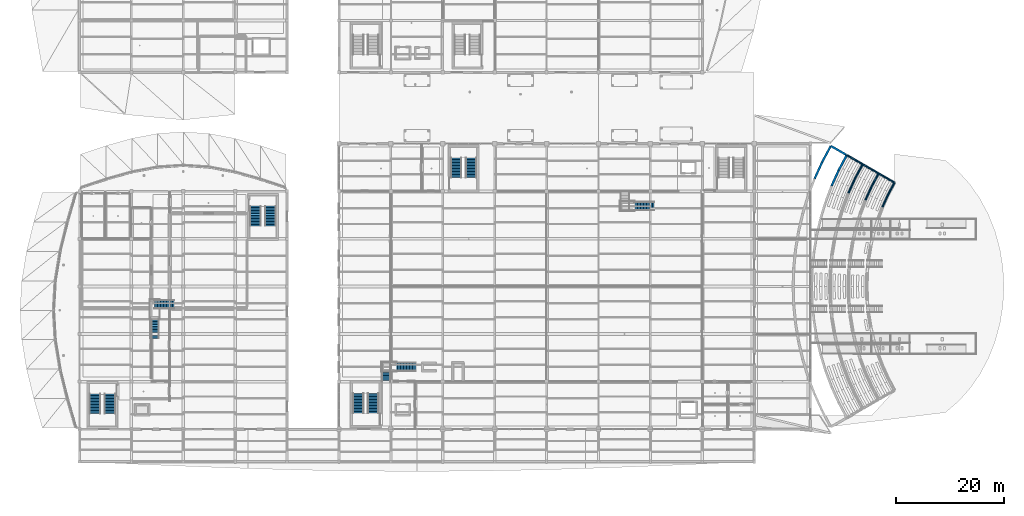
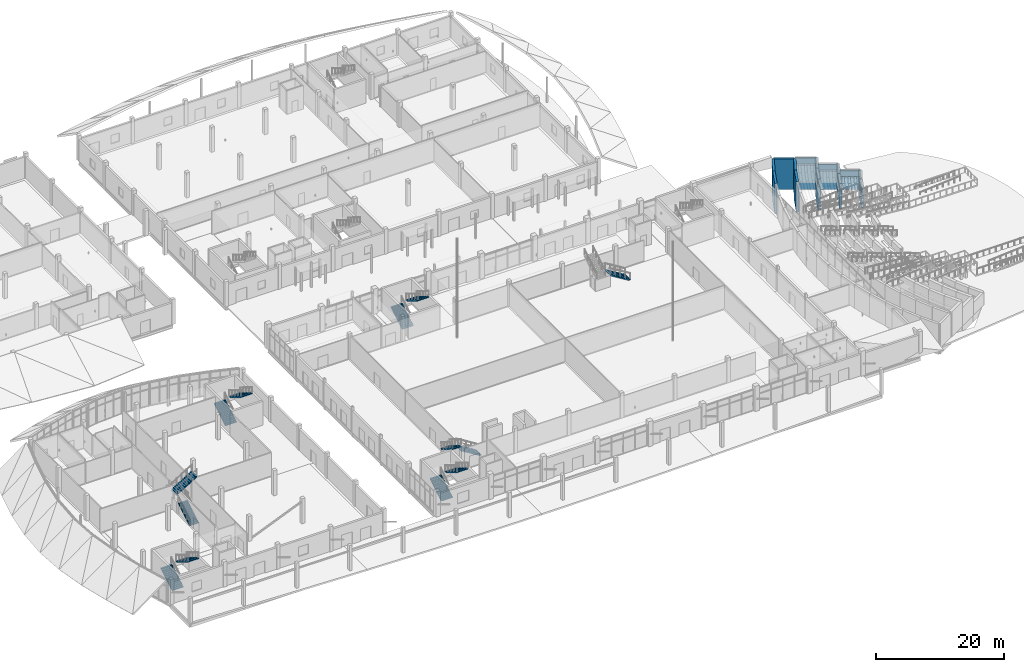
# One storey, part 87 of 116: 23 walls, 13 stair flights, 7 elements without a shape of their own.
"""IFC4 building model written with IfcOpenShell, lengths in metres."""

from ifc_helpers import new_model, si_unit, direction, frame, frame_2d, origin, place, context, subcontext, project, spatial, polyline, rectangle, outline, extrude, material, layer, layer_set, type_object, element, aggregate, save


model = new_model("IFC4")

# Units and contexts
model_context = context("Model", 3, precision=1e-05, world=origin(), true_north=direction((0.0, 1.0)))
body_context = subcontext(model_context, "Body", "Model", "MODEL_VIEW")
ifc_project = project(units=[si_unit("LENGTHUNIT", "METRE"), si_unit("AREAUNIT", "SQUARE_METRE"), si_unit("VOLUMEUNIT", "CUBIC_METRE"), si_unit("PLANEANGLEUNIT", "RADIAN"), si_unit("MASSUNIT", "GRAM", prefix="KILO")], contexts=[model_context])

# Site, building, storey
site_placement = place(None, origin())
site = spatial("IfcSite", under=ifc_project, at=site_placement, CompositionType="ELEMENT")
building_placement = place(site_placement, origin())
building = spatial("IfcBuilding", under=site, at=building_placement, Name="Chalmorin Arch Market", CompositionType="ELEMENT")
storey_placement = place(building_placement, origin())
storey = spatial("IfcBuildingStorey", under=building, at=storey_placement, Name="L00", CompositionType="ELEMENT", Elevation=0.0)

# Walls
ifc_material_1 = material(Name="Concrete C40/50", Category="concrete")
ifc_layer_1 = layer(ifc_material_1, 0.39990234375)
ifc_layer_set_1 = layer_set([ifc_layer_1], Name="Concrete C40/50")
wall_type_1 = type_object("IfcWallType", Name="TerraceRetainingWall-400", PredefinedType="SOLIDWALL", material=ifc_layer_set_1)
for number, where, z_axis, x_axis, name in (
    (1, (150.7451171875, 51.60009765625, -1.300048828125), (0.0, 0.0, 1.0), (-0.471566169419, -0.881830679813, 0.0), "TRW-400-233"),
    (2, (149.56005859375, 49.384033203125, -1.300048828125), (0.0, 0.0, 1.0), (-0.412690076585, -0.910871506135, 0.0), "TRW-400-235"),
):
    element("IfcWall", number, at=place(storey_placement, frame(where, z_axis=z_axis, x_axis=x_axis)), inside=storey, type_object=wall_type_1, Name=name, PredefinedType="SOLIDWALL", context=body_context, shape_type="SweptSolid", body=[
        extrude(rectangle(XDim=2.512939453125, YDim=0.39990234375, at=frame_2d((1.25634765625, 0.0))), origin(), (0.0, 0.0, 1.0), 2.239990234375),
    ])
wall_1_placement = place(storey_placement, frame((147.800048828125, 53.300048828125, -1.300048828125), z_axis=(0.0, 0.0, 1.0), x_axis=(-0.471329386267, -0.881957260666, 0.0)))
element("IfcWall", 3, at=wall_1_placement, inside=storey, type_object=wall_type_1, Name="TRW-400-259", PredefinedType="SOLIDWALL", context=body_context, shape_type="SweptSolid", body=[
    extrude(rectangle(XDim=2.73486328125, YDim=0.39990234375, at=frame_2d((1.367431640625, 0.0))), origin(), (0.0, 0.0, 1.0), 3.43994140625),
])
wall_2_placement = place(storey_placement, frame((146.510986328125, 50.887939453125, -1.300048828125), z_axis=(0.0, 0.0, 1.0), x_axis=(-0.412652865445, -0.910888364532, 0.0)))
element("IfcWall", 4, at=wall_2_placement, inside=storey, type_object=wall_type_1, Name="TRW-400-261", PredefinedType="SOLIDWALL", context=body_context, shape_type="SweptSolid", body=[
    extrude(rectangle(XDim=2.73583984375, YDim=0.39990234375, at=frame_2d((1.367919921875, 0.0))), origin(), (0.0, 0.0, 1.0), 3.43994140625),
])
wall_3_placement = place(storey_placement, frame((144.85595703125, 55.0, -1.300048828125), z_axis=(0.0, 0.0, 1.0), x_axis=(-0.47153883746, -0.881845295257, 0.0)))
element("IfcWall", 5, at=wall_3_placement, inside=storey, type_object=wall_type_1, Name="TRW-400-285", PredefinedType="SOLIDWALL", context=body_context, shape_type="SweptSolid", body=[
    extrude(rectangle(XDim=2.95849609375, YDim=0.39990234375, at=frame_2d((1.479248046875, 0.0))), origin(), (0.0, 0.0, 1.0), 4.64013671875),
])
wall_4_placement = place(storey_placement, frame((143.4609375, 52.39111328125, -1.300048828125), z_axis=(0.0, 0.0, 1.0), x_axis=(-0.412508845839, -0.910953594924, 0.0)))
element("IfcWall", 6, at=wall_4_placement, inside=storey, type_object=wall_type_1, Name="TRW-400-287", PredefinedType="SOLIDWALL", context=body_context, shape_type="SweptSolid", body=[
    extrude(rectangle(XDim=2.95751953125, YDim=0.39990234375, at=frame_2d((1.478759765625, 0.0))), origin(), (0.0, 0.0, 1.0), 4.64013671875),
])
wall_5_placement = place(storey_placement, frame((141.910888671875, 56.699951171875, -1.300048828125), z_axis=(0.0, 0.0, 1.0), x_axis=(-0.471277407926, -0.881985036596, 0.0)))
element("IfcWall", 7, at=wall_5_placement, inside=storey, type_object=wall_type_1, Name="TRW-400-313", PredefinedType="SOLIDWALL", context=body_context, shape_type="SweptSolid", body=[
    extrude(rectangle(XDim=3.18017578125, YDim=0.39990234375, at=frame_2d((1.590087890625, 0.0))), origin(), (0.0, 0.0, 1.0), 5.840087890625),
])
wall_6_placement = place(storey_placement, frame((140.412109375, 53.89501953125, -1.300048828125), z_axis=(0.0, 0.0, 1.0), x_axis=(-0.412807989375, -0.910818073991, 0.0)))
element("IfcWall", 8, at=wall_6_placement, inside=storey, type_object=wall_type_1, Name="TRW-400-315", PredefinedType="SOLIDWALL", context=body_context, shape_type="SweptSolid", body=[
    extrude(rectangle(XDim=3.1806640625, YDim=0.39990234375, at=frame_2d((1.59033203125, 0.0))), origin(), (0.0, 0.0, 1.0), 5.840087890625),
])
wall_7_placement = place(storey_placement, frame((138.967041015625, 58.39990234375, -1.300048828125), z_axis=(0.0, 0.0, 1.0), x_axis=(-0.471384968537, -0.881927554529, 0.0)))
element("IfcWall", 9, at=wall_7_placement, inside=storey, type_object=wall_type_1, Name="TRW-400-341", PredefinedType="SOLIDWALL", context=body_context, shape_type="SweptSolid", body=[
    extrude(rectangle(XDim=3.40283203125, YDim=0.39990234375, at=frame_2d((1.701416015625, 0.0))), origin(), (0.0, 0.0, 1.0), 5.840087890625),
])
wall_8_placement = place(storey_placement, frame((137.363037109375, 55.39892578125, -1.300048828125), z_axis=(0.0, 0.0, 1.0), x_axis=(-0.412937791366, -0.910759232982, 0.0)))
element("IfcWall", 10, at=wall_8_placement, inside=storey, type_object=wall_type_1, Name="TRW-400-342", PredefinedType="SOLIDWALL", context=body_context, shape_type="SweptSolid", body=[
    extrude(rectangle(XDim=3.402587890625, YDim=0.39990234375, at=frame_2d((1.701171875, 0.0))), origin(), (0.0, 0.0, 1.0), 5.840087890625),
])
wall_9_placement = place(storey_placement, frame((150.7099609375, 51.6201171875, -1.300048828125), z_axis=(0.0, 0.0, 1.0), x_axis=(-0.866021479586, 0.50000679685, 0.0)))
element("IfcWall", 11, at=wall_9_placement, inside=storey, type_object=wall_type_1, Name="TRW-400-357", PredefinedType="SOLIDWALL", context=body_context, shape_type="SweptSolid", body=[
    extrude(rectangle(XDim=3.31982421875, YDim=0.39990234375, at=frame_2d((1.659912109375, 0.0))), origin(), (0.0, 0.0, 1.0), 2.239990234375),
])
wall_10_placement = place(storey_placement, frame((147.764892578125, 53.320068359375, -1.300048828125), z_axis=(0.0, 0.0, 1.0), x_axis=(-0.866021479586, 0.50000679685, 0.0)))
element("IfcWall", 12, at=wall_10_placement, inside=storey, type_object=wall_type_1, Name="TRW-400-361", PredefinedType="SOLIDWALL", context=body_context, shape_type="SweptSolid", body=[
    extrude(rectangle(XDim=3.31982421875, YDim=0.39990234375, at=frame_2d((1.659912109375, 0.0))), origin(), (0.0, 0.0, 1.0), 3.43994140625),
])
wall_11_placement = place(storey_placement, frame((144.821044921875, 55.02001953125, -1.300048828125), z_axis=(0.0, 0.0, 1.0), x_axis=(-0.866021479586, 0.50000679685, 0.0)))
element("IfcWall", 13, at=wall_11_placement, inside=storey, type_object=wall_type_1, Name="TRW-400-365", PredefinedType="SOLIDWALL", context=body_context, shape_type="SweptSolid", body=[
    extrude(rectangle(XDim=3.31982421875, YDim=0.39990234375, at=frame_2d((1.659912109375, 0.0))), origin(), (0.0, 0.0, 1.0), 4.64013671875),
])
wall_12_placement = place(storey_placement, frame((141.876953125, 56.719970703125, -1.300048828125), z_axis=(0.0, 0.0, 1.0), x_axis=(-0.866094994717, 0.499879445593, 0.0)))
element("IfcWall", 14, at=wall_12_placement, inside=storey, type_object=wall_type_1, Name="TRW-400-369", PredefinedType="SOLIDWALL", context=body_context, shape_type="SweptSolid", body=[
    extrude(rectangle(XDim=3.320556640625, YDim=0.39990234375, at=frame_2d((1.66015625, 0.0))), origin(), (0.0, 0.0, 1.0), 5.840087890625),
])
ifc_material_2 = material(Name="Precast concrete C40/50", Category="concrete")
ifc_layer_2 = layer(ifc_material_2, 0.239990234375)
ifc_layer_set_2 = layer_set([ifc_layer_2], Name="Precast concrete C40/50")
wall_type_2 = type_object("IfcWallType", Name="WhitePlanterParapetWall-240", PredefinedType="PARAPET", material=ifc_layer_set_2)
for number, where, z_axis, x_axis, name in (
    (15, (150.7451171875, 51.60009765625, 1.199951171875), (0.0, 0.0, 1.0), (-0.471566169419, -0.881830679813, 0.0), "PWP-240-234"),
    (16, (149.56005859375, 49.384033203125, 1.199951171875), (0.0, 0.0, 1.0), (-0.412690076585, -0.910871506135, 0.0), "PWP-240-236"),
):
    element("IfcWall", number, at=place(storey_placement, frame(where, z_axis=z_axis, x_axis=x_axis)), inside=storey, type_object=wall_type_2, Name=name, PredefinedType="PARAPET", context=body_context, shape_type="SweptSolid", body=[
        extrude(rectangle(XDim=2.512939453125, YDim=0.239990234375, at=frame_2d((1.25634765625, 0.0))), origin(), (0.0, 0.0, 1.0), 1.1201171875),
    ])
wall_13_placement = place(storey_placement, frame((147.800048828125, 53.300048828125, 2.39990234375), z_axis=(0.0, 0.0, 1.0), x_axis=(-0.471329386267, -0.881957260666, 0.0)))
element("IfcWall", 17, at=wall_13_placement, inside=storey, type_object=wall_type_2, Name="PWP-240-260", PredefinedType="PARAPET", context=body_context, shape_type="SweptSolid", body=[
    extrude(rectangle(XDim=2.73486328125, YDim=0.239990234375, at=frame_2d((1.367431640625, 0.0))), origin(), (0.0, 0.0, 1.0), 1.1201171875),
])
wall_14_placement = place(storey_placement, frame((146.510986328125, 50.887939453125, 2.39990234375), z_axis=(0.0, 0.0, 1.0), x_axis=(-0.412652865445, -0.910888364532, 0.0)))
element("IfcWall", 18, at=wall_14_placement, inside=storey, type_object=wall_type_2, Name="PWP-240-262", PredefinedType="PARAPET", context=body_context, shape_type="SweptSolid", body=[
    extrude(rectangle(XDim=2.73583984375, YDim=0.239990234375, at=frame_2d((1.367919921875, 0.0))), origin(), (0.0, 0.0, 1.0), 1.1201171875),
])
wall_15_placement = place(storey_placement, frame((144.85595703125, 55.0, 3.60009765625), z_axis=(0.0, 0.0, 1.0), x_axis=(-0.47153883746, -0.881845295257, 0.0)))
element("IfcWall", 19, at=wall_15_placement, inside=storey, type_object=wall_type_2, Name="PWP-240-286", PredefinedType="PARAPET", context=body_context, shape_type="SweptSolid", body=[
    extrude(rectangle(XDim=2.95849609375, YDim=0.239990234375, at=frame_2d((1.479248046875, 0.0))), origin(), (0.0, 0.0, 1.0), 1.119873046875),
])
wall_16_placement = place(storey_placement, frame((143.4609375, 52.39111328125, 3.60009765625), z_axis=(0.0, 0.0, 1.0), x_axis=(-0.412508845839, -0.910953594924, 0.0)))
element("IfcWall", 20, at=wall_16_placement, inside=storey, type_object=wall_type_2, Name="PWP-240-288", PredefinedType="PARAPET", context=body_context, shape_type="SweptSolid", body=[
    extrude(rectangle(XDim=2.95751953125, YDim=0.239990234375, at=frame_2d((1.478759765625, 0.0))), origin(), (0.0, 0.0, 1.0), 1.119873046875),
])
for number, where, z_axis, x_axis, name in (
    (21, (150.7099609375, 51.6201171875, 1.199951171875), (0.0, 0.0, 1.0), (-0.866021479586, 0.50000679685, 0.0), "PWP-240-358"),
    (22, (147.764892578125, 53.320068359375, 2.39990234375), (0.0, 0.0, 1.0), (-0.866021479586, 0.50000679685, 0.0), "PWP-240-362"),
):
    element("IfcWall", number, at=place(storey_placement, frame(where, z_axis=z_axis, x_axis=x_axis)), inside=storey, type_object=wall_type_2, Name=name, PredefinedType="PARAPET", context=body_context, shape_type="SweptSolid", body=[
        extrude(rectangle(XDim=3.31982421875, YDim=0.239990234375, at=frame_2d((1.659912109375, 0.0))), origin(), (0.0, 0.0, 1.0), 1.1201171875),
    ])
wall_17_placement = place(storey_placement, frame((144.821044921875, 55.02001953125, 3.60009765625), z_axis=(0.0, 0.0, 1.0), x_axis=(-0.866021479586, 0.50000679685, 0.0)))
element("IfcWall", 23, at=wall_17_placement, inside=storey, type_object=wall_type_2, Name="PWP-240-366", PredefinedType="PARAPET", context=body_context, shape_type="SweptSolid", body=[
    extrude(rectangle(XDim=3.31982421875, YDim=0.239990234375, at=frame_2d((1.659912109375, 0.0))), origin(), (0.0, 0.0, 1.0), 1.119873046875),
])

# Stair, stair flights
stair_type_1 = type_object("IfcStairType", Name="DoglegExitStair-28R-SC1", PredefinedType="HALF_TURN_STAIR", material=ifc_material_1)
stair_1_placement = place(storey_placement, origin())
stair_1 = element("IfcStair", 24, at=stair_1_placement, inside=storey, type_object=stair_type_1, Name="ST-01", PredefinedType="HALF_TURN_STAIR")
ifc_layer_3 = layer(ifc_material_1, 0.1650390625)
ifc_layer_set_3 = layer_set([ifc_layer_3], Name="Concrete C40/50")
stair_flight_type_1 = type_object("IfcStairFlightType", Name="CoreStairFlight-2050", PredefinedType="STRAIGHT", material=ifc_layer_set_3)
stair_flight_1_placement = place(storey_placement, frame((2.864990234375, 8.860107421875, 0.0), z_axis=(0.0, 0.0, 1.0), x_axis=(0.0, 1.0, 0.0)))
stair_flight_1 = element("IfcStairFlight", 25, at=stair_flight_1_placement, type_object=stair_flight_type_1, Name="ST-01-F1", NumberOfRisers=14, NumberOfTreads=13, PredefinedType="STRAIGHT", RiserHeight=0.171429, TreadLength=0.28, context=body_context, shape_type="SweptSolid", body=[
    extrude(outline(polyline([(0.0, 0.0), (0.0, 0.17138671875), (0.280029296875, 0.17138671875), (0.280029296875, 0.3427734375), (0.56005859375, 0.3427734375), (0.56005859375, 0.514404296875), (0.840087890625, 0.514404296875), (0.840087890625, 0.685791015625), (1.1201171875, 0.685791015625), (1.1201171875, 0.857177734375), (1.39990234375, 0.857177734375), (1.39990234375, 1.028564453125), (1.679931640625, 1.028564453125), (1.679931640625, 1.199951171875), (1.9599609375, 1.199951171875), (1.9599609375, 1.371337890625), (2.239990234375, 1.371337890625), (2.239990234375, 1.54296875), (2.52001953125, 1.54296875), (2.52001953125, 1.71435546875), (2.800048828125, 1.71435546875), (2.800048828125, 1.8857421875), (3.080078125, 1.8857421875), (3.080078125, 2.05712890625), (3.360107421875, 2.05712890625), (3.360107421875, 2.228515625), (3.639892578125, 2.228515625), (3.639892578125, 2.39990234375), (3.639892578125, 2.03515625), (0.316162109375, 0.0), (0.0, 0.0)])), frame((0.0, 1.02490234375, 0.0), z_axis=(0.0, -1.0, 0.0), x_axis=(1.0, 0.0, 0.0)), (0.0, 0.0, 1.0), 2.050048828125),
])
stair_flight_2_placement = place(storey_placement, frame((5.635009765625, 12.5, 2.39990234375), z_axis=(0.0, 0.0, 1.0), x_axis=(0.0, -1.0, 0.0)))
stair_flight_2 = element("IfcStairFlight", 26, at=stair_flight_2_placement, type_object=stair_flight_type_1, Name="ST-01-F2", NumberOfRisers=14, NumberOfTreads=13, PredefinedType="STRAIGHT", RiserHeight=0.171429, TreadLength=0.28, context=body_context, shape_type="SweptSolid", body=[
    extrude(outline(polyline([(0.0, 0.0), (0.0, 0.17138671875), (0.280029296875, 0.17138671875), (0.280029296875, 0.3427734375), (0.56005859375, 0.3427734375), (0.56005859375, 0.514404296875), (0.840087890625, 0.514404296875), (0.840087890625, 0.685791015625), (1.1201171875, 0.685791015625), (1.1201171875, 0.857177734375), (1.39990234375, 0.857177734375), (1.39990234375, 1.028564453125), (1.679931640625, 1.028564453125), (1.679931640625, 1.199951171875), (1.9599609375, 1.199951171875), (1.9599609375, 1.371337890625), (2.239990234375, 1.371337890625), (2.239990234375, 1.54296875), (2.52001953125, 1.54296875), (2.52001953125, 1.71435546875), (2.800048828125, 1.71435546875), (2.800048828125, 1.8857421875), (3.080078125, 1.8857421875), (3.080078125, 2.05712890625), (3.360107421875, 2.05712890625), (3.360107421875, 2.228515625), (3.639892578125, 2.228515625), (3.639892578125, 2.39990234375), (3.639892578125, 2.03515625), (0.316162109375, 0.0), (0.0, 0.0)])), frame((0.0, 1.02490234375, 0.0), z_axis=(0.0, -1.0, 0.0), x_axis=(1.0, 0.0, 0.0)), (0.0, 0.0, 1.0), 2.050048828125),
])
aggregate(stair_1, [stair_flight_1, stair_flight_2])

stair_type_2 = type_object("IfcStairType", Name="DoglegExitStair-28R-SC2", PredefinedType="HALF_TURN_STAIR", material=ifc_material_1)
stair_2_placement = place(storey_placement, origin())
stair_2 = element("IfcStair", 27, at=stair_2_placement, inside=storey, type_object=stair_type_2, Name="ST-03", PredefinedType="HALF_TURN_STAIR")
stair_flight_3_placement = place(storey_placement, frame((32.56494140625, 43.610107421875, 0.0), z_axis=(0.0, 0.0, 1.0), x_axis=(0.0, 1.0, 0.0)))
stair_flight_3 = element("IfcStairFlight", 28, at=stair_flight_3_placement, type_object=stair_flight_type_1, Name="ST-03-F1", NumberOfRisers=14, NumberOfTreads=13, PredefinedType="STRAIGHT", RiserHeight=0.171429, TreadLength=0.28, context=body_context, shape_type="SweptSolid", body=[
    extrude(outline(polyline([(0.0, 0.0), (0.0, 0.17138671875), (0.280029296875, 0.17138671875), (0.280029296875, 0.3427734375), (0.56005859375, 0.3427734375), (0.56005859375, 0.514404296875), (0.840087890625, 0.514404296875), (0.840087890625, 0.685791015625), (1.1201171875, 0.685791015625), (1.1201171875, 0.857177734375), (1.39990234375, 0.857177734375), (1.39990234375, 1.028564453125), (1.679931640625, 1.028564453125), (1.679931640625, 1.199951171875), (1.9599609375, 1.199951171875), (1.9599609375, 1.371337890625), (2.239990234375, 1.371337890625), (2.239990234375, 1.54296875), (2.52001953125, 1.54296875), (2.52001953125, 1.71435546875), (2.800048828125, 1.71435546875), (2.800048828125, 1.8857421875), (3.080078125, 1.8857421875), (3.080078125, 2.05712890625), (3.360107421875, 2.05712890625), (3.360107421875, 2.228515625), (3.639892578125, 2.228515625), (3.639892578125, 2.39990234375), (3.639892578125, 2.03515625), (0.316162109375, 0.0), (0.0, 0.0)])), frame((0.0, 1.02490234375, 0.0), z_axis=(0.0, -1.0, 0.0), x_axis=(1.0, 0.0, 0.0)), (0.0, 0.0, 1.0), 2.050048828125),
])
stair_flight_4_placement = place(storey_placement, frame((35.3349609375, 47.25, 2.39990234375), z_axis=(0.0, 0.0, 1.0), x_axis=(0.0, -1.0, 0.0)))
stair_flight_4 = element("IfcStairFlight", 29, at=stair_flight_4_placement, type_object=stair_flight_type_1, Name="ST-03-F2", NumberOfRisers=14, NumberOfTreads=13, PredefinedType="STRAIGHT", RiserHeight=0.171429, TreadLength=0.28, context=body_context, shape_type="SweptSolid", body=[
    extrude(outline(polyline([(0.0, 0.0), (0.0, 0.17138671875), (0.280029296875, 0.17138671875), (0.280029296875, 0.3427734375), (0.56005859375, 0.3427734375), (0.56005859375, 0.514404296875), (0.840087890625, 0.514404296875), (0.840087890625, 0.685791015625), (1.1201171875, 0.685791015625), (1.1201171875, 0.857177734375), (1.39990234375, 0.857177734375), (1.39990234375, 1.028564453125), (1.679931640625, 1.028564453125), (1.679931640625, 1.199951171875), (1.9599609375, 1.199951171875), (1.9599609375, 1.371337890625), (2.239990234375, 1.371337890625), (2.239990234375, 1.54296875), (2.52001953125, 1.54296875), (2.52001953125, 1.71435546875), (2.800048828125, 1.71435546875), (2.800048828125, 1.8857421875), (3.080078125, 1.8857421875), (3.080078125, 2.05712890625), (3.360107421875, 2.05712890625), (3.360107421875, 2.228515625), (3.639892578125, 2.228515625), (3.639892578125, 2.39990234375), (3.639892578125, 2.03515625), (0.316162109375, 0.0), (0.0, 0.0)])), frame((0.0, 1.02490234375, 0.0), z_axis=(0.0, -1.0, 0.0), x_axis=(1.0, 0.0, 0.0)), (0.0, 0.0, 1.0), 2.050048828125),
])
aggregate(stair_2, [stair_flight_3, stair_flight_4])

stair_type_3 = type_object("IfcStairType", Name="DoglegExitStair-28R-SC3", PredefinedType="HALF_TURN_STAIR", material=ifc_material_1)
stair_3_placement = place(storey_placement, origin())
stair_3 = element("IfcStair", 30, at=stair_3_placement, inside=storey, type_object=stair_type_3, Name="ST-06", PredefinedType="HALF_TURN_STAIR")
stair_flight_5_placement = place(storey_placement, frame((51.56494140625, 8.9599609375, 0.0), z_axis=(0.0, 0.0, 1.0), x_axis=(0.0, 1.0, 0.0)))
stair_flight_5 = element("IfcStairFlight", 31, at=stair_flight_5_placement, type_object=stair_flight_type_1, Name="ST-06-F1", NumberOfRisers=14, NumberOfTreads=13, PredefinedType="STRAIGHT", RiserHeight=0.171429, TreadLength=0.28, context=body_context, shape_type="SweptSolid", body=[
    extrude(outline(polyline([(0.0, 0.0), (0.0, 0.17138671875), (0.280029296875, 0.17138671875), (0.280029296875, 0.3427734375), (0.56005859375, 0.3427734375), (0.56005859375, 0.514404296875), (0.840087890625, 0.514404296875), (0.840087890625, 0.685791015625), (1.1201171875, 0.685791015625), (1.1201171875, 0.857177734375), (1.39990234375, 0.857177734375), (1.39990234375, 1.028564453125), (1.679931640625, 1.028564453125), (1.679931640625, 1.199951171875), (1.9599609375, 1.199951171875), (1.9599609375, 1.371337890625), (2.239990234375, 1.371337890625), (2.239990234375, 1.54296875), (2.52001953125, 1.54296875), (2.52001953125, 1.71435546875), (2.800048828125, 1.71435546875), (2.800048828125, 1.8857421875), (3.080078125, 1.8857421875), (3.080078125, 2.05712890625), (3.360107421875, 2.05712890625), (3.360107421875, 2.228515625), (3.639892578125, 2.228515625), (3.639892578125, 2.39990234375), (3.639892578125, 2.03515625), (0.316162109375, 0.0), (0.0, 0.0)])), frame((0.0, 1.02490234375, 0.0), z_axis=(0.0, -1.0, 0.0), x_axis=(1.0, 0.0, 0.0)), (0.0, 0.0, 1.0), 2.050048828125),
])
stair_flight_6_placement = place(storey_placement, frame((54.3349609375, 12.60009765625, 2.39990234375), z_axis=(0.0, 0.0, 1.0), x_axis=(0.0, -1.0, 0.0)))
stair_flight_6 = element("IfcStairFlight", 32, at=stair_flight_6_placement, type_object=stair_flight_type_1, Name="ST-06-F2", NumberOfRisers=14, NumberOfTreads=13, PredefinedType="STRAIGHT", RiserHeight=0.171429, TreadLength=0.28, context=body_context, shape_type="SweptSolid", body=[
    extrude(outline(polyline([(0.0, 0.0), (0.0, 0.17138671875), (0.280029296875, 0.17138671875), (0.280029296875, 0.3427734375), (0.56005859375, 0.3427734375), (0.56005859375, 0.514404296875), (0.840087890625, 0.514404296875), (0.840087890625, 0.685791015625), (1.1201171875, 0.685791015625), (1.1201171875, 0.857177734375), (1.39990234375, 0.857177734375), (1.39990234375, 1.028564453125), (1.679931640625, 1.028564453125), (1.679931640625, 1.199951171875), (1.9599609375, 1.199951171875), (1.9599609375, 1.371337890625), (2.239990234375, 1.371337890625), (2.239990234375, 1.54296875), (2.52001953125, 1.54296875), (2.52001953125, 1.71435546875), (2.800048828125, 1.71435546875), (2.800048828125, 1.8857421875), (3.080078125, 1.8857421875), (3.080078125, 2.05712890625), (3.360107421875, 2.05712890625), (3.360107421875, 2.228515625), (3.639892578125, 2.228515625), (3.639892578125, 2.39990234375), (3.639892578125, 2.03515625), (0.316162109375, 0.0), (0.0, 0.0)])), frame((0.0, 1.02490234375, 0.0), z_axis=(0.0, -1.0, 0.0), x_axis=(1.0, 0.0, 0.0)), (0.0, 0.0, 1.0), 2.050048828125),
])
aggregate(stair_3, [stair_flight_5, stair_flight_6])

stair_type_4 = type_object("IfcStairType", Name="DoglegExitStair-28R-SC8", PredefinedType="HALF_TURN_STAIR", material=ifc_material_1)
stair_4_placement = place(storey_placement, origin())
stair_4 = element("IfcStair", 33, at=stair_4_placement, inside=storey, type_object=stair_type_4, Name="ST-24", PredefinedType="HALF_TURN_STAIR")
stair_flight_7_placement = place(storey_placement, frame((69.6650390625, 52.56005859375, 0.0), z_axis=(0.0, 0.0, 1.0), x_axis=(0.0, 1.0, 0.0)))
stair_flight_7 = element("IfcStairFlight", 34, at=stair_flight_7_placement, type_object=stair_flight_type_1, Name="ST-24-F1", NumberOfRisers=14, NumberOfTreads=13, PredefinedType="STRAIGHT", RiserHeight=0.171429, TreadLength=0.28, context=body_context, shape_type="SweptSolid", body=[
    extrude(outline(polyline([(0.0, 0.0), (0.0, 0.17138671875), (0.280029296875, 0.17138671875), (0.280029296875, 0.3427734375), (0.56005859375, 0.3427734375), (0.56005859375, 0.514404296875), (0.840087890625, 0.514404296875), (0.840087890625, 0.685791015625), (1.1201171875, 0.685791015625), (1.1201171875, 0.857177734375), (1.39990234375, 0.857177734375), (1.39990234375, 1.028564453125), (1.679931640625, 1.028564453125), (1.679931640625, 1.199951171875), (1.9599609375, 1.199951171875), (1.9599609375, 1.371337890625), (2.239990234375, 1.371337890625), (2.239990234375, 1.54296875), (2.52001953125, 1.54296875), (2.52001953125, 1.71435546875), (2.800048828125, 1.71435546875), (2.800048828125, 1.8857421875), (3.080078125, 1.8857421875), (3.080078125, 2.05712890625), (3.360107421875, 2.05712890625), (3.360107421875, 2.228515625), (3.639892578125, 2.228515625), (3.639892578125, 2.39990234375), (3.639892578125, 2.03515625), (0.316162109375, 0.0), (0.0, 0.0)])), frame((0.0, 1.02490234375, 0.0), z_axis=(0.0, -1.0, 0.0), x_axis=(1.0, 0.0, 0.0)), (0.0, 0.0, 1.0), 2.050048828125),
])
stair_flight_8_placement = place(storey_placement, frame((72.43505859375, 56.199951171875, 2.39990234375), z_axis=(0.0, 0.0, 1.0), x_axis=(0.0, -1.0, 0.0)))
stair_flight_8 = element("IfcStairFlight", 35, at=stair_flight_8_placement, type_object=stair_flight_type_1, Name="ST-24-F2", NumberOfRisers=14, NumberOfTreads=13, PredefinedType="STRAIGHT", RiserHeight=0.171429, TreadLength=0.28, context=body_context, shape_type="SweptSolid", body=[
    extrude(outline(polyline([(0.0, 0.0), (0.0, 0.17138671875), (0.280029296875, 0.17138671875), (0.280029296875, 0.3427734375), (0.56005859375, 0.3427734375), (0.56005859375, 0.514404296875), (0.840087890625, 0.514404296875), (0.840087890625, 0.685791015625), (1.1201171875, 0.685791015625), (1.1201171875, 0.857177734375), (1.39990234375, 0.857177734375), (1.39990234375, 1.028564453125), (1.679931640625, 1.028564453125), (1.679931640625, 1.199951171875), (1.9599609375, 1.199951171875), (1.9599609375, 1.371337890625), (2.239990234375, 1.371337890625), (2.239990234375, 1.54296875), (2.52001953125, 1.54296875), (2.52001953125, 1.71435546875), (2.800048828125, 1.71435546875), (2.800048828125, 1.8857421875), (3.080078125, 1.8857421875), (3.080078125, 2.05712890625), (3.360107421875, 2.05712890625), (3.360107421875, 2.228515625), (3.639892578125, 2.228515625), (3.639892578125, 2.39990234375), (3.639892578125, 2.03515625), (0.316162109375, 0.0), (0.0, 0.0)])), frame((0.0, 1.02490234375, 0.0), z_axis=(0.0, -1.0, 0.0), x_axis=(1.0, 0.0, 0.0)), (0.0, 0.0, 1.0), 2.050048828125),
])
aggregate(stair_4, [stair_flight_7, stair_flight_8])

ifc_material_3 = material(Name="Steel A992 Grade 50", Category="steel")
stair_type_5 = type_object("IfcStairType", Name="GalleryFeatureStair-Steel", PredefinedType="QUARTER_TURN_STAIR", material=ifc_material_3)
stair_5_placement = place(storey_placement, origin())
stair_5 = element("IfcStair", 36, at=stair_5_placement, inside=storey, type_object=stair_type_5, Name="ST-26", PredefinedType="QUARTER_TURN_STAIR")
ifc_layer_4 = layer(ifc_material_3, 0.159912109375)
ifc_layer_set_4 = layer_set([ifc_layer_4], Name="Steel A992 Grade 50")
stair_flight_type_2 = type_object("IfcStairFlightType", Name="FeatureStairFlight-1650", PredefinedType="STRAIGHT", material=ifc_layer_set_4)
stair_flight_9_placement = place(storey_placement, frame((62.199951171875, 17.52001953125, 0.0), z_axis=(0.0, 0.0, 1.0), x_axis=(-1.0, 0.0, 0.0)))
stair_flight_9 = element("IfcStairFlight", 37, at=stair_flight_9_placement, type_object=stair_flight_type_2, Name="ST-26-F1", NumberOfRisers=14, NumberOfTreads=13, PredefinedType="STRAIGHT", RiserHeight=0.171429, TreadLength=0.28, context=body_context, shape_type="SweptSolid", body=[
    extrude(outline(polyline([(0.0, 0.0), (0.0, 0.17138671875), (0.280029296875, 0.17138671875), (0.280029296875, 0.3427734375), (0.56005859375, 0.3427734375), (0.56005859375, 0.514404296875), (0.840087890625, 0.514404296875), (0.840087890625, 0.685791015625), (1.1201171875, 0.685791015625), (1.1201171875, 0.857177734375), (1.39990234375, 0.857177734375), (1.39990234375, 1.028564453125), (1.679931640625, 1.028564453125), (1.679931640625, 1.199951171875), (1.9599609375, 1.199951171875), (1.9599609375, 1.371337890625), (2.239990234375, 1.371337890625), (2.239990234375, 1.54296875), (2.52001953125, 1.54296875), (2.52001953125, 1.71435546875), (2.800048828125, 1.71435546875), (2.800048828125, 1.8857421875), (3.080078125, 1.8857421875), (3.080078125, 2.05712890625), (3.360107421875, 2.05712890625), (3.360107421875, 2.228515625), (3.639892578125, 2.228515625), (3.639892578125, 2.39990234375), (3.639892578125, 2.041015625), (0.30615234375, 0.0), (0.0, 0.0)])), frame((0.0, 0.824951171875, 0.0), z_axis=(0.0, -1.0, 0.0), x_axis=(1.0, 0.0, 0.0)), (0.0, 0.0, 1.0), 1.64990234375),
])
stair_flight_10_placement = place(storey_placement, frame((56.699951171875, 18.409912109375, 2.39990234375), z_axis=(0.0, 0.0, 1.0), x_axis=(0.0, -1.0, 0.0)))
stair_flight_10 = element("IfcStairFlight", 38, at=stair_flight_10_placement, type_object=stair_flight_type_2, Name="ST-26-F2", NumberOfRisers=14, NumberOfTreads=13, PredefinedType="STRAIGHT", RiserHeight=0.171429, TreadLength=0.28, context=body_context, shape_type="SweptSolid", body=[
    extrude(outline(polyline([(0.0, 0.0), (0.0, 0.17138671875), (0.280029296875, 0.17138671875), (0.280029296875, 0.3427734375), (0.56005859375, 0.3427734375), (0.56005859375, 0.514404296875), (0.840087890625, 0.514404296875), (0.840087890625, 0.685791015625), (1.1201171875, 0.685791015625), (1.1201171875, 0.857177734375), (1.39990234375, 0.857177734375), (1.39990234375, 1.028564453125), (1.679931640625, 1.028564453125), (1.679931640625, 1.199951171875), (1.9599609375, 1.199951171875), (1.9599609375, 1.371337890625), (2.239990234375, 1.371337890625), (2.239990234375, 1.54296875), (2.52001953125, 1.54296875), (2.52001953125, 1.71435546875), (2.800048828125, 1.71435546875), (2.800048828125, 1.8857421875), (3.080078125, 1.8857421875), (3.080078125, 2.05712890625), (3.360107421875, 2.05712890625), (3.360107421875, 2.228515625), (3.639892578125, 2.228515625), (3.639892578125, 2.39990234375), (3.639892578125, 2.041015625), (0.30615234375, 0.0), (0.0, 0.0)])), frame((0.0, 0.824951171875, 0.0), z_axis=(0.0, -1.0, 0.0), x_axis=(1.0, 0.0, 0.0)), (0.0, 0.0, 1.0), 1.64990234375),
])
aggregate(stair_5, [stair_flight_9, stair_flight_10])

# Stair, stair flight
stair_6_placement = place(storey_placement, origin())
stair_6 = element("IfcStair", 39, at=stair_6_placement, inside=storey, type_object=stair_type_5, Name="ST-27", PredefinedType="QUARTER_TURN_STAIR")
stair_flight_11_placement = place(storey_placement, frame((106.300048828125, 47.280029296875, 0.0), z_axis=(0.0, 0.0, 1.0), x_axis=(-1.0, 0.0, 0.0)))
stair_flight_11 = element("IfcStairFlight", 40, at=stair_flight_11_placement, type_object=stair_flight_type_2, Name="ST-27-F1", NumberOfRisers=14, NumberOfTreads=13, PredefinedType="STRAIGHT", RiserHeight=0.171429, TreadLength=0.28, context=body_context, shape_type="SweptSolid", body=[
    extrude(outline(polyline([(0.0, 0.0), (0.0, 0.17138671875), (0.280029296875, 0.17138671875), (0.280029296875, 0.3427734375), (0.56005859375, 0.3427734375), (0.56005859375, 0.514404296875), (0.840087890625, 0.514404296875), (0.840087890625, 0.685791015625), (1.1201171875, 0.685791015625), (1.1201171875, 0.857177734375), (1.39990234375, 0.857177734375), (1.39990234375, 1.028564453125), (1.679931640625, 1.028564453125), (1.679931640625, 1.199951171875), (1.9599609375, 1.199951171875), (1.9599609375, 1.371337890625), (2.239990234375, 1.371337890625), (2.239990234375, 1.54296875), (2.52001953125, 1.54296875), (2.52001953125, 1.71435546875), (2.800048828125, 1.71435546875), (2.800048828125, 1.8857421875), (3.080078125, 1.8857421875), (3.080078125, 2.05712890625), (3.360107421875, 2.05712890625), (3.360107421875, 2.228515625), (3.639892578125, 2.228515625), (3.639892578125, 2.39990234375), (3.639892578125, 2.041015625), (0.30615234375, 0.0), (0.0, 0.0)])), frame((0.0, 0.824951171875, 0.0), z_axis=(0.0, -1.0, 0.0), x_axis=(1.0, 0.0, 0.0)), (0.0, 0.0, 1.0), 1.64990234375),
])
aggregate(stair_6, [stair_flight_11])

# Stair, stair flights
stair_7_placement = place(storey_placement, origin())
stair_7 = element("IfcStair", 41, at=stair_7_placement, inside=storey, type_object=stair_type_5, Name="ST-29", PredefinedType="QUARTER_TURN_STAIR")
stair_flight_12_placement = place(storey_placement, frame((13.889892578125, 22.800048828125, 0.0), z_axis=(0.0, 0.0, 1.0), x_axis=(0.0, 1.0, 0.0)))
stair_flight_12 = element("IfcStairFlight", 42, at=stair_flight_12_placement, type_object=stair_flight_type_2, Name="ST-29-F1", NumberOfRisers=14, NumberOfTreads=13, PredefinedType="STRAIGHT", RiserHeight=0.171429, TreadLength=0.28, context=body_context, shape_type="SweptSolid", body=[
    extrude(outline(polyline([(0.0, 0.0), (0.0, 0.17138671875), (0.280029296875, 0.17138671875), (0.280029296875, 0.3427734375), (0.56005859375, 0.3427734375), (0.56005859375, 0.514404296875), (0.840087890625, 0.514404296875), (0.840087890625, 0.685791015625), (1.1201171875, 0.685791015625), (1.1201171875, 0.857177734375), (1.39990234375, 0.857177734375), (1.39990234375, 1.028564453125), (1.679931640625, 1.028564453125), (1.679931640625, 1.199951171875), (1.9599609375, 1.199951171875), (1.9599609375, 1.371337890625), (2.239990234375, 1.371337890625), (2.239990234375, 1.54296875), (2.52001953125, 1.54296875), (2.52001953125, 1.71435546875), (2.800048828125, 1.71435546875), (2.800048828125, 1.8857421875), (3.080078125, 1.8857421875), (3.080078125, 2.05712890625), (3.360107421875, 2.05712890625), (3.360107421875, 2.228515625), (3.639892578125, 2.228515625), (3.639892578125, 2.39990234375), (3.639892578125, 2.041015625), (0.30615234375, 0.0), (0.0, 0.0)])), frame((0.0, 0.824951171875, 0.0), z_axis=(0.0, -1.0, 0.0), x_axis=(1.0, 0.0, 0.0)), (0.0, 0.0, 1.0), 1.64990234375),
])
stair_flight_13_placement = place(storey_placement, frame((13.889892578125, 29.10009765625, 2.39990234375), z_axis=(0.0, 0.0, 1.0), x_axis=(1.0, 0.0, 0.0)))
stair_flight_13 = element("IfcStairFlight", 43, at=stair_flight_13_placement, type_object=stair_flight_type_2, Name="ST-29-F2", NumberOfRisers=14, NumberOfTreads=13, PredefinedType="STRAIGHT", RiserHeight=0.171429, TreadLength=0.28, context=body_context, shape_type="SweptSolid", body=[
    extrude(outline(polyline([(0.0, 0.0), (0.0, 0.17138671875), (0.280029296875, 0.17138671875), (0.280029296875, 0.3427734375), (0.56005859375, 0.3427734375), (0.56005859375, 0.514404296875), (0.840087890625, 0.514404296875), (0.840087890625, 0.685791015625), (1.1201171875, 0.685791015625), (1.1201171875, 0.857177734375), (1.39990234375, 0.857177734375), (1.39990234375, 1.028564453125), (1.679931640625, 1.028564453125), (1.679931640625, 1.199951171875), (1.9599609375, 1.199951171875), (1.9599609375, 1.371337890625), (2.239990234375, 1.371337890625), (2.239990234375, 1.54296875), (2.52001953125, 1.54296875), (2.52001953125, 1.71435546875), (2.800048828125, 1.71435546875), (2.800048828125, 1.8857421875), (3.080078125, 1.8857421875), (3.080078125, 2.05712890625), (3.360107421875, 2.05712890625), (3.360107421875, 2.228515625), (3.639892578125, 2.228515625), (3.639892578125, 2.39990234375), (3.639892578125, 2.041015625), (0.30615234375, 0.0), (0.0, 0.0)])), frame((0.0, 0.824951171875, 0.0), z_axis=(0.0, -1.0, 0.0), x_axis=(1.0, 0.0, 0.0)), (0.0, 0.0, 1.0), 1.64990234375),
])
aggregate(stair_7, [stair_flight_12, stair_flight_13])

save(model, "model.ifc")
